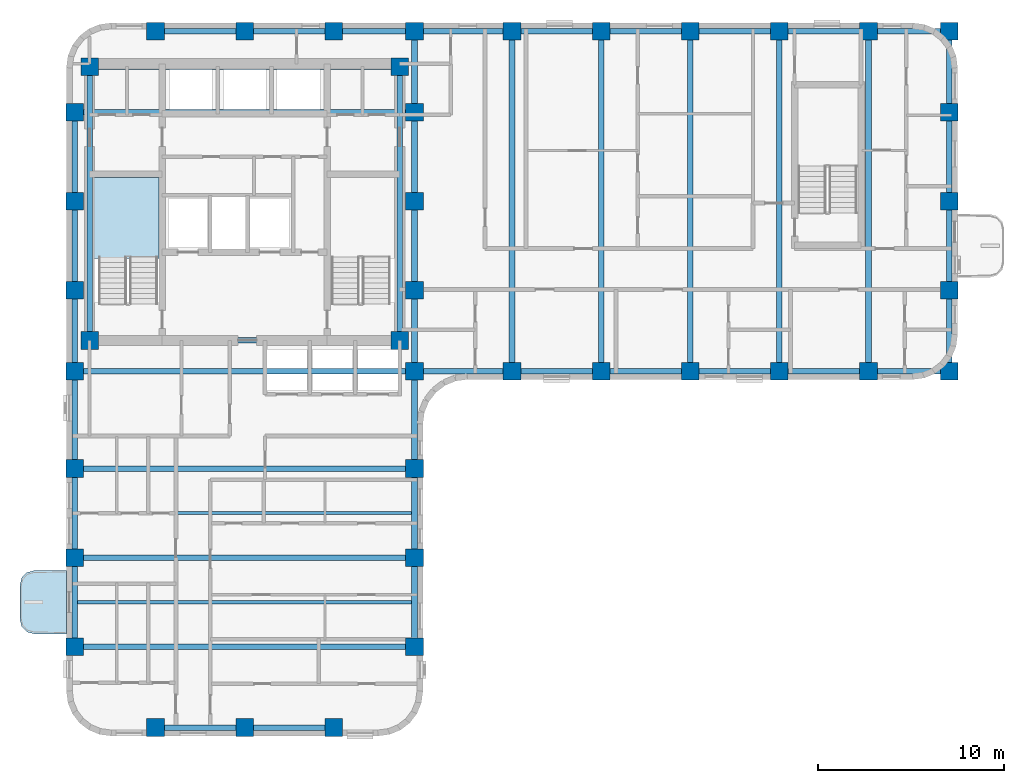
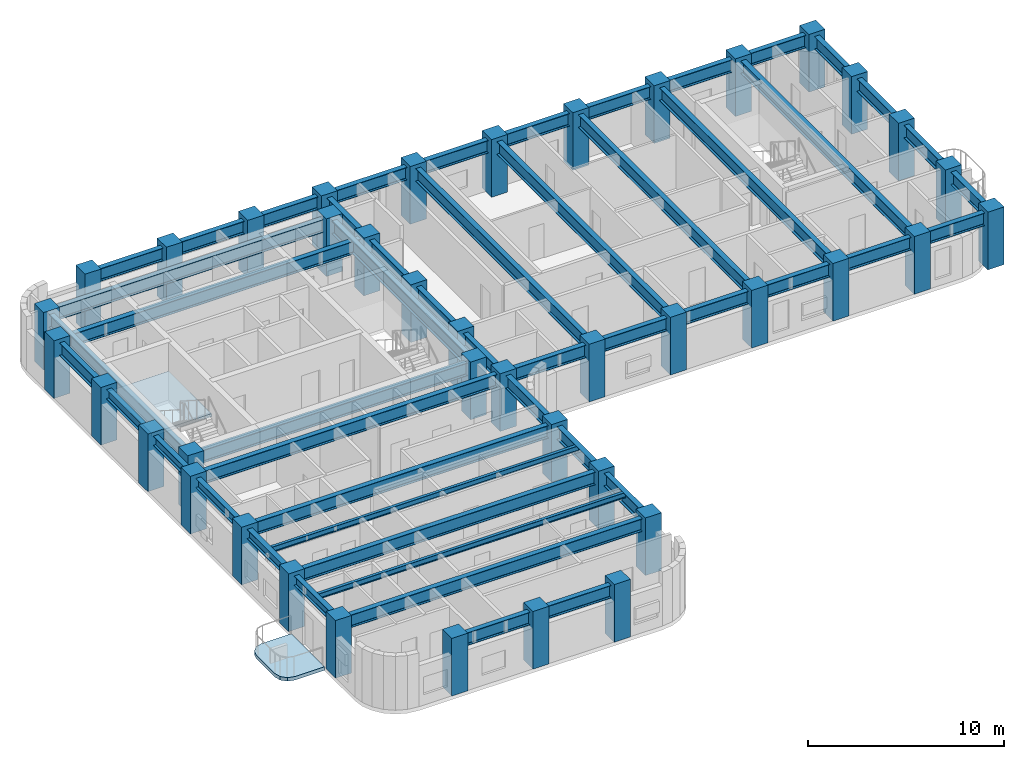
# One storey, part 1 of 10: 50 beams, 40 columns, 2 slabs, 1 element without a shape of its own.
"""IFC4 building model written with IfcOpenShell, lengths in metres."""

import ifcopenshell
import ifcopenshell.guid

model = None  # the IFC model being written
_history = None  # IfcOwnerHistory: only IFC2X3 demands one
_inside = {}  # id of a spatial element -> (the spatial element, [elements in it])
_under = {}  # id of a project, library or spatial element -> (it, [spatial elements below it])
_declared = {}  # id of a project -> (the project, [libraries it declares])
_typed = {}  # id of a type object -> (the type object, [elements of that type])
_made_of = {}  # id of a material, layer set ... -> (it, [elements and type objects made of it])


def new_model(schema):
    """Start an empty IFC model of exactly this schema.

    Asked for "IFC4X3", IfcOpenShell would pick the latest addendum, in which some entities
    have other attributes; the version numbers below select the first issue.
    IFC2X3 requires an IfcOwnerHistory on every rooted entity: one is made here for all.
    """
    global model, _history
    if schema == "IFC4X3":
        model = ifcopenshell.file(schema_version=(4, 3, 0, 0))
    else:
        model = ifcopenshell.file(schema=schema)
    _inside.clear()
    _under.clear()
    _declared.clear()
    _typed.clear()
    _made_of.clear()
    _history = None
    if model.schema == "IFC2X3":
        org = make("IfcOrganization", Name="unknown")
        user = make(
            "IfcPersonAndOrganization",
            ThePerson=make("IfcPerson", FamilyName="unknown"),
            TheOrganization=org,
        )
        app = make(
            "IfcApplication",
            ApplicationDeveloper=org,
            Version="unknown",
            ApplicationFullName="unknown",
            ApplicationIdentifier="unknown",
        )
        _history = make(
            "IfcOwnerHistory",
            OwningUser=user,
            OwningApplication=app,
            ChangeAction="ADDED",
            CreationDate=0,
        )
    return model


def make(cls, **values):
    """One entity of the class cls with the attributes given. An attribute that is None is left unset."""
    return model.create_entity(
        cls, **{name: value for name, value in values.items() if value is not None}
    )


def rooted(cls, **values):
    """An entity with a GlobalId (a new one), such as an element, a storey or a relation."""
    return make(cls, GlobalId=ifcopenshell.guid.new(), OwnerHistory=_history, **values)


def si_unit(unit_type, name, prefix=None):
    """IfcSIUnit, for example si_unit("LENGTHUNIT", "METRE", prefix="MILLI")."""
    return make("IfcSIUnit", UnitType=unit_type, Prefix=prefix, Name=name)


def assignment(units):
    """IfcUnitAssignment: the units of a project."""
    return None if units is None else make("IfcUnitAssignment", Units=units)


def point(xyz):
    """IfcCartesianPoint."""
    return None if xyz is None else make("IfcCartesianPoint", Coordinates=xyz)


def direction(xyz):
    """IfcDirection."""
    return None if xyz is None else make("IfcDirection", DirectionRatios=xyz)


def frame(location, z_axis=None, x_axis=None):
    """IfcAxis2Placement3D, a coordinate frame: its origin and axes. An axis left out is left unset."""
    return make(
        "IfcAxis2Placement3D",
        Location=point(location),
        Axis=direction(z_axis),
        RefDirection=direction(x_axis),
    )


def frame_2d(location, x_axis=None):
    """IfcAxis2Placement2D, a coordinate frame in the plane: its origin and x axis."""
    return make(
        "IfcAxis2Placement2D", Location=point(location), RefDirection=direction(x_axis)
    )


def origin():
    """The frame at (0, 0, 0) with its axes left unset."""
    return frame((0.0, 0.0, 0.0))


def origin_2d():
    """The frame at (0, 0) in the plane with its x axis left unset."""
    return frame_2d((0.0, 0.0))


def place(relative_to, where):
    """IfcLocalPlacement: puts the frame where relative to a parent placement (None: the world)."""
    return make(
        "IfcLocalPlacement", PlacementRelTo=relative_to, RelativePlacement=where
    )


def context(
    kind, dimensions, precision=None, world=None, true_north=None, identifier=None
):
    """IfcGeometricRepresentationContext, for example the 3D "Model" context."""
    return make(
        "IfcGeometricRepresentationContext",
        ContextIdentifier=identifier,
        ContextType=kind,
        CoordinateSpaceDimension=dimensions,
        Precision=precision,
        WorldCoordinateSystem=world,
        TrueNorth=true_north,
    )


def subcontext(parent, identifier, kind, view, scale=None):
    """IfcGeometricRepresentationSubContext, for example "Body" below "Model"."""
    return make(
        "IfcGeometricRepresentationSubContext",
        ContextIdentifier=identifier,
        ContextType=kind,
        ParentContext=parent,
        TargetScale=scale,
        TargetView=view,
    )


def project(units=None, contexts=None):
    """IfcProject with its units and contexts."""
    return rooted(
        "IfcProject",
        Name="project",
        RepresentationContexts=contexts,
        UnitsInContext=assignment(units),
    )


def spatial(cls, under=None, at=None, **own):
    """A site, building, storey or space (cls), placed at a placement, below another one or the project."""
    s = rooted(cls, ObjectPlacement=at, **own)
    if under is not None:
        _under.setdefault(under.id(), (under, []))[1].append(s)
    return s


def polyline(points):
    """IfcPolyline through the points."""
    return make("IfcPolyline", Points=[point(p) for p in points])


def profile(cls, at=None, kind="AREA", **sizes):
    """A parametric profile (cls). Its sizes go by their IFC names, for example OverallWidth=200.0."""
    return make(cls, ProfileType=kind, Position=at, **sizes)


def rectangle(**sizes):
    """IfcRectangleProfileDef."""
    return profile("IfcRectangleProfileDef", **sizes)


def i_section(**sizes):
    """IfcIShapeProfileDef."""
    return profile("IfcIShapeProfileDef", **sizes)


def outline(outer, holes=None, kind="AREA"):
    """IfcArbitraryClosedProfileDef: a profile drawn as a closed curve; with holes, ...WithVoids."""
    if holes is None:
        return make("IfcArbitraryClosedProfileDef", ProfileType=kind, OuterCurve=outer)
    return make(
        "IfcArbitraryProfileDefWithVoids",
        ProfileType=kind,
        OuterCurve=outer,
        InnerCurves=holes,
    )


def extrude(swept, where, along, depth):
    """IfcExtrudedAreaSolid: the profile swept, set in the frame where, extruded along a direction by depth."""
    return make(
        "IfcExtrudedAreaSolid",
        SweptArea=swept,
        Position=where,
        ExtrudedDirection=direction(along),
        Depth=depth,
    )


def shape(context_of_items, identifier, shape_type, items):
    """IfcShapeRepresentation: the items that make up one representation, for example the "Body"."""
    return make(
        "IfcShapeRepresentation",
        ContextOfItems=context_of_items,
        RepresentationIdentifier=identifier,
        RepresentationType=shape_type,
        Items=items,
    )


def material(Name=None, Category=None):
    """IfcMaterial."""
    return make("IfcMaterial", Name=Name, Category=Category)


def layer(
    of_material, thickness, ventilated=None, Name=None, Category=None, Priority=None
):
    """IfcMaterialLayer: one layer of a wall or slab, of a material (None: an air gap)."""
    return make(
        "IfcMaterialLayer",
        Material=of_material,
        LayerThickness=thickness,
        IsVentilated=ventilated,
        Name=Name,
        Category=Category,
        Priority=Priority,
    )


def layer_set(layers, Name=None):
    """IfcMaterialLayerSet."""
    return make("IfcMaterialLayerSet", MaterialLayers=layers, LayerSetName=Name)


def material_profile(
    of_material, cross_section, Name=None, Category=None, Priority=None
):
    """IfcMaterialProfile: a cross section and its material."""
    return make(
        "IfcMaterialProfile",
        Name=Name,
        Material=of_material,
        Profile=cross_section,
        Priority=Priority,
        Category=Category,
    )


def profile_set(profiles, Name=None, composite=None):
    """IfcMaterialProfileSet."""
    return make(
        "IfcMaterialProfileSet",
        Name=Name,
        MaterialProfiles=profiles,
        CompositeProfile=composite,
    )


def made_of(thing, what):
    """Note that an element or type object is made of a material, layer set ...; save() writes the relation."""
    if what is not None:
        _made_of.setdefault(what.id(), (what, []))[1].append(thing)
    return thing


def type_object(cls, material=None, **own):
    """A type object (cls), such as IfcWallType, which elements share."""
    return made_of(rooted(cls, **own), material)


def element(
    cls,
    number,
    at=None,
    inside=None,
    cuts=None,
    type_object=None,
    material=None,
    context=None,
    identifier="Body",
    shape_type=None,
    held_by="IfcProductDefinitionShape",
    body=None,
    shapes=None,
    **own,
):
    """One element of the class cls, such as IfcWall. Its Tag is "e" and its number.

    at: its placement. inside: the storey or other place that contains it. cuts: it is an
    opening in that element (IfcRelVoidsElement). A single representation is given by context,
    identifier, shape_type and body (its items); several are given by shapes. held_by: the class
    of the entity that holds the representations. save() writes the other relations.
    """
    e = rooted(cls, Tag="e%d" % number, ObjectPlacement=at, **own)
    if body is not None:
        shapes = [shape(context, identifier, shape_type, body)]
    if shapes is not None:
        e.Representation = make(held_by, Representations=shapes)
    if inside is not None:
        _inside.setdefault(inside.id(), (inside, []))[1].append(e)
    if cuts is not None:
        rooted(
            "IfcRelVoidsElement", RelatingBuildingElement=cuts, RelatedOpeningElement=e
        )
    if type_object is not None:
        _typed.setdefault(type_object.id(), (type_object, []))[1].append(e)
    return made_of(e, material)


def aggregate(whole, parts):
    """IfcRelAggregates: a whole, such as a stair, and the parts it consists of."""
    return rooted("IfcRelAggregates", RelatingObject=whole, RelatedObjects=parts)


def save(model, path):
    """Write the relations noted so far, then the file.

    IfcRelAggregates (storeys below a building ...), IfcRelContainedInSpatialStructure (elements
    in a storey), IfcRelDefinesByType, IfcRelAssociatesMaterial and IfcRelDeclares: one each for
    every whole, place, type object, material and project.
    """
    for whole, parts in _under.values():
        aggregate(whole, parts)
    for where, things in _inside.values():
        rooted(
            "IfcRelContainedInSpatialStructure",
            RelatedElements=things,
            RelatingStructure=where,
        )
    for kind, things in _typed.values():
        rooted("IfcRelDefinesByType", RelatedObjects=things, RelatingType=kind)
    for what, things in _made_of.values():
        rooted("IfcRelAssociatesMaterial", RelatedObjects=things, RelatingMaterial=what)
    for by, libraries in _declared.values():
        rooted("IfcRelDeclares", RelatingContext=by, RelatedDefinitions=libraries)
    model.write(path)


model = new_model("IFC4")

# Units and contexts
model_context = context("Model", 3, precision=1e-05, world=origin(), true_north=direction((0.0, 1.0)))
body_context = subcontext(model_context, "Body", "Model", "MODEL_VIEW")
ifc_project = project(units=[si_unit("LENGTHUNIT", "METRE"), si_unit("AREAUNIT", "SQUARE_METRE"), si_unit("VOLUMEUNIT", "CUBIC_METRE"), si_unit("PLANEANGLEUNIT", "RADIAN"), si_unit("MASSUNIT", "GRAM", prefix="KILO")], contexts=[model_context])

# Site, building, storey
site_placement = place(None, origin())
site = spatial("IfcSite", under=ifc_project, at=site_placement, CompositionType="ELEMENT")
building_placement = place(site_placement, origin())
building = spatial("IfcBuilding", under=site, at=building_placement, Name="Orvandelia Arch Residences", CompositionType="ELEMENT")
storey_placement = place(building_placement, frame((0.0, 0.0, 121.60009765625)))
storey = spatial("IfcBuildingStorey", under=building, at=storey_placement, Name="L31", CompositionType="ELEMENT", Elevation=121.60009765625)

# Columns
ifc_material_1 = material(Name="Concrete C60/75", Category="concrete")
ifc_material_profile_1 = material_profile(ifc_material_1, rectangle(XDim=0.949951171875, YDim=0.949951171875, at=origin_2d()), Name="Concrete C60/75", Category="concrete")
ifc_profile_set_1 = profile_set([ifc_material_profile_1], Name="Concrete C60/75")
column_type = type_object("IfcColumnType", Name="COL-TWR-950", PredefinedType="COLUMN", material=ifc_profile_set_1)
for number, where, z_axis, x_axis, name in (
    (1, (5.25, 14.39990234375, 0.0), (0.0, 0.0, 1.0), (1.0, 0.0, 0.0), "Structural Column L31-W-W-144"),
    (2, (5.25, 19.199951171875, 0.0), (0.0, 0.0, 1.0), (1.0, 0.0, 0.0), "Structural Column L31-W-W-192"),
    (3, (5.25, 24.0, 0.0), (0.0, 0.0, 1.0), (1.0, 0.0, 0.0), "Structural Column L31-W-W-240"),
    (4, (5.25, 29.25, 0.0), (0.0, 0.0, 1.0), (1.0, 0.0, 0.0), "Structural Column L31-W-W-292"),
    (5, (5.25, 33.60009765625, 0.0), (0.0, 0.0, 1.0), (1.0, 0.0, 0.0), "Structural Column L31-W-W-336"),
    (6, (5.25, 38.39990234375, 0.0), (0.0, 0.0, 1.0), (1.0, 0.0, 0.0), "Structural Column L31-W-W-384"),
    (7, (5.25, 43.199951171875, 0.0), (0.0, 0.0, 1.0), (1.0, 0.0, 0.0), "Structural Column L31-W-W-432"),
    (8, (6.050048828125, 30.89990234375, 0.0), (0.0, 0.0, 1.0), (1.0, 0.0, 0.0), "Structural Column L31-CR-SW"),
    (9, (6.050048828125, 45.64990234375, 0.0), (0.0, 0.0, 1.0), (1.0, 0.0, 0.0), "Structural Column L31-CR-NW"),
    (10, (9.60009765625, 10.050048828125, 0.0), (0.0, 0.0, 1.0), (1.0, 0.0, 0.0), "Structural Column L31-W-S-96"),
    (11, (9.60009765625, 47.550048828125, 0.0), (0.0, 0.0, 1.0), (1.0, 0.0, 0.0), "Structural Column L31-W-N-96"),
    (12, (14.39990234375, 10.050048828125, 0.0), (0.0, 0.0, 1.0), (1.0, 0.0, 0.0), "Structural Column L31-W-S-144"),
    (13, (14.39990234375, 47.550048828125, 0.0), (0.0, 0.0, 1.0), (1.0, 0.0, 0.0), "Structural Column L31-W-N-144"),
    (14, (19.199951171875, 10.050048828125, 0.0), (0.0, 0.0, 1.0), (1.0, 0.0, 0.0), "Structural Column L31-W-S-192"),
    (15, (19.199951171875, 47.550048828125, 0.0), (0.0, 0.0, 1.0), (1.0, 0.0, 0.0), "Structural Column L31-W-N-192"),
    (16, (22.75, 30.89990234375, 0.0), (0.0, 0.0, 1.0), (1.0, 0.0, 0.0), "Structural Column L31-CR-SE"),
    (17, (22.75, 45.64990234375, 0.0), (0.0, 0.0, 1.0), (1.0, 0.0, 0.0), "Structural Column L31-CR-NE"),
    (18, (23.550048828125, 14.39990234375, 0.0), (0.0, 0.0, 1.0), (1.0, 0.0, 0.0), "Structural Column L31-W-E-144"),
    (19, (23.550048828125, 19.199951171875, 0.0), (0.0, 0.0, 1.0), (1.0, 0.0, 0.0), "Structural Column L31-W-E-192"),
    (20, (23.550048828125, 24.0, 0.0), (0.0, 0.0, 1.0), (1.0, 0.0, 0.0), "Structural Column L31-W-E-240"),
    (21, (23.550048828125, 29.25, 0.0), (0.0, 0.0, 1.0), (1.0, 0.0, 0.0), "Structural Column L31-W-E-292"),
    (22, (23.550048828125, 33.60009765625, 0.0), (0.0, 0.0, 1.0), (1.0, 0.0, 0.0), "Structural Column L31-W-E-336"),
    (23, (23.550048828125, 38.39990234375, 0.0), (0.0, 0.0, 1.0), (1.0, 0.0, 0.0), "Structural Column L31-W-E-384"),
    (24, (23.550048828125, 43.199951171875, 0.0), (0.0, 0.0, 1.0), (1.0, 0.0, 0.0), "Structural Column L31-W-E-432"),
    (25, (23.550048828125, 47.550048828125, 0.0), (0.0, 0.0, 1.0), (1.0, 0.0, 0.0), "Structural Column L31-W-N-235"),
    (26, (28.800048828125, 29.25, 0.0), (0.0, 0.0, 1.0), (1.0, 0.0, 0.0), "Structural Column L31-E-S-288"),
    (27, (28.800048828125, 47.550048828125, 0.0), (0.0, 0.0, 1.0), (1.0, 0.0, 0.0), "Structural Column L31-E-N-288"),
    (28, (33.60009765625, 29.25, 0.0), (0.0, 0.0, 1.0), (1.0, 0.0, 0.0), "Structural Column L31-E-S-336"),
    (29, (33.60009765625, 47.550048828125, 0.0), (0.0, 0.0, 1.0), (1.0, 0.0, 0.0), "Structural Column L31-E-N-336"),
    (30, (38.39990234375, 29.25, 0.0), (0.0, 0.0, 1.0), (1.0, 0.0, 0.0), "Structural Column L31-E-S-384"),
    (31, (38.39990234375, 47.550048828125, 0.0), (0.0, 0.0, 1.0), (1.0, 0.0, 0.0), "Structural Column L31-E-N-384"),
    (32, (43.199951171875, 29.25, 0.0), (0.0, 0.0, 1.0), (1.0, 0.0, 0.0), "Structural Column L31-E-S-432"),
    (33, (43.199951171875, 47.550048828125, 0.0), (0.0, 0.0, 1.0), (1.0, 0.0, 0.0), "Structural Column L31-E-N-432"),
    (34, (48.0, 29.25, 0.0), (0.0, 0.0, 1.0), (1.0, 0.0, 0.0), "Structural Column L31-E-S-480"),
    (35, (48.0, 47.550048828125, 0.0), (0.0, 0.0, 1.0), (1.0, 0.0, 0.0), "Structural Column L31-E-N-480"),
    (36, (52.35009765625, 29.25, 0.0), (0.0, 0.0, 1.0), (1.0, 0.0, 0.0), "Structural Column L31-E-S-523"),
    (37, (52.35009765625, 33.60009765625, 0.0), (0.0, 0.0, 1.0), (1.0, 0.0, 0.0), "Structural Column L31-E-523-336"),
    (38, (52.35009765625, 38.39990234375, 0.0), (0.0, 0.0, 1.0), (1.0, 0.0, 0.0), "Structural Column L31-E-523-384"),
    (39, (52.35009765625, 43.199951171875, 0.0), (0.0, 0.0, 1.0), (1.0, 0.0, 0.0), "Structural Column L31-E-523-432"),
    (40, (52.35009765625, 47.550048828125, 0.0), (0.0, 0.0, 1.0), (1.0, 0.0, 0.0), "Structural Column L31-E-N-523"),
):
    element("IfcColumn", number, at=place(storey_placement, frame(where, z_axis=z_axis, x_axis=x_axis)), inside=storey, type_object=column_type, Name=name, PredefinedType="COLUMN", context=body_context, shape_type="SweptSolid", body=[
        extrude(rectangle(XDim=0.949951171875, YDim=0.949951171875, at=origin_2d()), origin(), (0.0, 0.0, 1.0), 3.599853515625),
    ])

# Beams
ifc_material_2 = material(Name="Structural Steel SM355 (355 MPa)", Category="steel")
ifc_material_profile_2 = material_profile(ifc_material_2, i_section(OverallWidth=0.300048828125, OverallDepth=0.800048828125, WebThickness=0.013916015625, FlangeThickness=0.02587890625, FilletRadius=0.02587890625, at=origin_2d()), Name="Structural Steel SM355 (355 MPa)", Category="steel")
ifc_profile_set_2 = profile_set([ifc_material_profile_2], Name="Structural Steel SM355 (355 MPa)")
beam_type_1 = type_object("IfcBeamType", Name="BM-GRD-H800", PredefinedType="BEAM", material=ifc_profile_set_2)
beam_1_placement = place(storey_placement, frame((5.25, 38.39990234375, 2.9599609375), z_axis=(0.0, 1.0, 0.0), x_axis=(-1.0, 0.0, 0.0)))
element("IfcBeam", 41, at=beam_1_placement, inside=storey, type_object=beam_type_1, Name="Structural Frame Beam L31-NS-006", PredefinedType="BEAM", context=body_context, shape_type="SweptSolid", body=[
    extrude(i_section(OverallWidth=0.300048828125, OverallDepth=0.800048828125, WebThickness=0.013916015625, FlangeThickness=0.02587890625, FilletRadius=0.02587890625, at=origin_2d()), origin(), (0.0, 0.0, 1.0), 4.800048828125),
])
for number, where, z_axis, x_axis, name in (
    (42, (6.050048828125, 30.89990234375, 2.9599609375), (0.0, 1.0, 0.0), (-1.0, 0.0, 0.0), "Structural Frame Beam L31-NS-007"),
    (43, (22.75, 30.89990234375, 2.9599609375), (0.0, 1.0, 0.0), (-1.0, 0.0, 0.0), "Structural Frame Beam L31-NS-008"),
):
    element("IfcBeam", number, at=place(storey_placement, frame(where, z_axis=z_axis, x_axis=x_axis)), inside=storey, type_object=beam_type_1, Name=name, PredefinedType="BEAM", context=body_context, shape_type="SweptSolid", body=[
        extrude(i_section(OverallWidth=0.300048828125, OverallDepth=0.800048828125, WebThickness=0.013916015625, FlangeThickness=0.02587890625, FilletRadius=0.02587890625, at=origin_2d()), origin(), (0.0, 0.0, 1.0), 14.75),
    ])
for number, where, z_axis, x_axis, name in (
    (44, (23.550048828125, 14.39990234375, 2.9599609375), (0.0, 1.0, 0.0), (-1.0, 0.0, 0.0), "Structural Frame Beam L31-NS-009"),
    (45, (23.550048828125, 19.199951171875, 2.9599609375), (0.0, 1.0, 0.0), (-1.0, 0.0, 0.0), "Structural Frame Beam L31-NS-010"),
):
    element("IfcBeam", number, at=place(storey_placement, frame(where, z_axis=z_axis, x_axis=x_axis)), inside=storey, type_object=beam_type_1, Name=name, PredefinedType="BEAM", context=body_context, shape_type="SweptSolid", body=[
        extrude(i_section(OverallWidth=0.300048828125, OverallDepth=0.800048828125, WebThickness=0.013916015625, FlangeThickness=0.02587890625, FilletRadius=0.02587890625, at=origin_2d()), origin(), (0.0, 0.0, 1.0), 4.800048828125),
    ])
beam_2_placement = place(storey_placement, frame((23.550048828125, 24.0, 2.9599609375), z_axis=(0.0, 1.0, 0.0), x_axis=(-1.0, 0.0, 0.0)))
element("IfcBeam", 46, at=beam_2_placement, inside=storey, type_object=beam_type_1, Name="Structural Frame Beam L31-NS-011", PredefinedType="BEAM", context=body_context, shape_type="SweptSolid", body=[
    extrude(i_section(OverallWidth=0.300048828125, OverallDepth=0.800048828125, WebThickness=0.013916015625, FlangeThickness=0.02587890625, FilletRadius=0.02587890625, at=origin_2d()), origin(), (0.0, 0.0, 1.0), 5.25),
])
beam_3_placement = place(storey_placement, frame((23.550048828125, 29.25, 2.9599609375), z_axis=(0.0, 1.0, 0.0), x_axis=(-1.0, 0.0, 0.0)))
element("IfcBeam", 47, at=beam_3_placement, inside=storey, type_object=beam_type_1, Name="Structural Frame Beam L31-NS-012", PredefinedType="BEAM", context=body_context, shape_type="SweptSolid", body=[
    extrude(i_section(OverallWidth=0.300048828125, OverallDepth=0.800048828125, WebThickness=0.013916015625, FlangeThickness=0.02587890625, FilletRadius=0.02587890625, at=origin_2d()), origin(), (0.0, 0.0, 1.0), 4.35009765625),
])
beam_4_placement = place(storey_placement, frame((23.550048828125, 33.60009765625, 2.9599609375), z_axis=(0.0, 1.0, 0.0), x_axis=(-1.0, 0.0, 0.0)))
element("IfcBeam", 48, at=beam_4_placement, inside=storey, type_object=beam_type_1, Name="Structural Frame Beam L31-NS-013", PredefinedType="BEAM", context=body_context, shape_type="SweptSolid", body=[
    extrude(i_section(OverallWidth=0.300048828125, OverallDepth=0.800048828125, WebThickness=0.013916015625, FlangeThickness=0.02587890625, FilletRadius=0.02587890625, at=origin_2d()), origin(), (0.0, 0.0, 1.0), 4.7998046875),
])
beam_5_placement = place(storey_placement, frame((23.550048828125, 38.39990234375, 2.9599609375), z_axis=(0.0, 1.0, 0.0), x_axis=(-1.0, 0.0, 0.0)))
element("IfcBeam", 49, at=beam_5_placement, inside=storey, type_object=beam_type_1, Name="Structural Frame Beam L31-NS-014", PredefinedType="BEAM", context=body_context, shape_type="SweptSolid", body=[
    extrude(i_section(OverallWidth=0.300048828125, OverallDepth=0.800048828125, WebThickness=0.013916015625, FlangeThickness=0.02587890625, FilletRadius=0.02587890625, at=origin_2d()), origin(), (0.0, 0.0, 1.0), 4.800048828125),
])
beam_6_placement = place(storey_placement, frame((23.550048828125, 43.199951171875, 2.9599609375), z_axis=(0.0, 1.0, 0.0), x_axis=(-1.0, 0.0, 0.0)))
element("IfcBeam", 50, at=beam_6_placement, inside=storey, type_object=beam_type_1, Name="Structural Frame Beam L31-NS-015", PredefinedType="BEAM", context=body_context, shape_type="SweptSolid", body=[
    extrude(i_section(OverallWidth=0.300048828125, OverallDepth=0.800048828125, WebThickness=0.013916015625, FlangeThickness=0.02587890625, FilletRadius=0.02587890625, at=origin_2d()), origin(), (0.0, 0.0, 1.0), 4.35009765625),
])
for number, where, z_axis, x_axis, name in (
    (51, (28.800048828125, 29.25, 2.9599609375), (0.0, 1.0, 0.0), (-1.0, 0.0, 0.0), "Structural Frame Beam L31-NS-016"),
    (52, (33.60009765625, 29.25, 2.9599609375), (0.0, 1.0, 0.0), (-1.0, 0.0, 0.0), "Structural Frame Beam L31-NS-017"),
    (53, (38.39990234375, 29.25, 2.9599609375), (0.0, 1.0, 0.0), (-1.0, 0.0, 0.0), "Structural Frame Beam L31-NS-018"),
    (54, (43.199951171875, 29.25, 2.9599609375), (0.0, 1.0, 0.0), (-1.0, 0.0, 0.0), "Structural Frame Beam L31-NS-019"),
    (55, (48.0, 29.25, 2.9599609375), (0.0, 1.0, 0.0), (-1.0, 0.0, 0.0), "Structural Frame Beam L31-NS-020"),
):
    element("IfcBeam", number, at=place(storey_placement, frame(where, z_axis=z_axis, x_axis=x_axis)), inside=storey, type_object=beam_type_1, Name=name, PredefinedType="BEAM", context=body_context, shape_type="SweptSolid", body=[
        extrude(i_section(OverallWidth=0.300048828125, OverallDepth=0.800048828125, WebThickness=0.013916015625, FlangeThickness=0.02587890625, FilletRadius=0.02587890625, at=origin_2d()), origin(), (0.0, 0.0, 1.0), 18.300048828125),
    ])
beam_7_placement = place(storey_placement, frame((52.35009765625, 29.25, 2.9599609375), z_axis=(0.0, 1.0, 0.0), x_axis=(-1.0, 0.0, 0.0)))
element("IfcBeam", 56, at=beam_7_placement, inside=storey, type_object=beam_type_1, Name="Structural Frame Beam L31-NS-021", PredefinedType="BEAM", context=body_context, shape_type="SweptSolid", body=[
    extrude(i_section(OverallWidth=0.300048828125, OverallDepth=0.800048828125, WebThickness=0.013916015625, FlangeThickness=0.02587890625, FilletRadius=0.02587890625, at=origin_2d()), origin(), (0.0, 0.0, 1.0), 4.35009765625),
])
beam_8_placement = place(storey_placement, frame((52.35009765625, 33.60009765625, 2.9599609375), z_axis=(0.0, 1.0, 0.0), x_axis=(-1.0, 0.0, 0.0)))
element("IfcBeam", 57, at=beam_8_placement, inside=storey, type_object=beam_type_1, Name="Structural Frame Beam L31-NS-022", PredefinedType="BEAM", context=body_context, shape_type="SweptSolid", body=[
    extrude(i_section(OverallWidth=0.300048828125, OverallDepth=0.800048828125, WebThickness=0.013916015625, FlangeThickness=0.02587890625, FilletRadius=0.02587890625, at=origin_2d()), origin(), (0.0, 0.0, 1.0), 4.7998046875),
])
beam_9_placement = place(storey_placement, frame((52.35009765625, 38.39990234375, 2.9599609375), z_axis=(0.0, 1.0, 0.0), x_axis=(-1.0, 0.0, 0.0)))
element("IfcBeam", 58, at=beam_9_placement, inside=storey, type_object=beam_type_1, Name="Structural Frame Beam L31-NS-023", PredefinedType="BEAM", context=body_context, shape_type="SweptSolid", body=[
    extrude(i_section(OverallWidth=0.300048828125, OverallDepth=0.800048828125, WebThickness=0.013916015625, FlangeThickness=0.02587890625, FilletRadius=0.02587890625, at=origin_2d()), origin(), (0.0, 0.0, 1.0), 4.800048828125),
])
beam_10_placement = place(storey_placement, frame((52.35009765625, 43.199951171875, 2.9599609375), z_axis=(0.0, 1.0, 0.0), x_axis=(-1.0, 0.0, 0.0)))
element("IfcBeam", 59, at=beam_10_placement, inside=storey, type_object=beam_type_1, Name="Structural Frame Beam L31-NS-024", PredefinedType="BEAM", context=body_context, shape_type="SweptSolid", body=[
    extrude(i_section(OverallWidth=0.300048828125, OverallDepth=0.800048828125, WebThickness=0.013916015625, FlangeThickness=0.02587890625, FilletRadius=0.02587890625, at=origin_2d()), origin(), (0.0, 0.0, 1.0), 4.35009765625),
])
beam_11_placement = place(storey_placement, frame((9.60009765625, 10.050048828125, 2.9599609375), z_axis=(1.0, 0.0, 0.0), x_axis=(0.0, 1.0, 0.0)))
element("IfcBeam", 60, at=beam_11_placement, inside=storey, type_object=beam_type_1, Name="Structural Frame Girder L31-EW-025", PredefinedType="BEAM", context=body_context, shape_type="SweptSolid", body=[
    extrude(i_section(OverallWidth=0.300048828125, OverallDepth=0.800048828125, WebThickness=0.013916015625, FlangeThickness=0.02587890625, FilletRadius=0.02587890625, at=origin_2d()), origin(), (0.0, 0.0, 1.0), 4.7998046875),
])
beam_12_placement = place(storey_placement, frame((14.39990234375, 10.050048828125, 2.9599609375), z_axis=(1.0, 0.0, 0.0), x_axis=(0.0, 1.0, 0.0)))
element("IfcBeam", 61, at=beam_12_placement, inside=storey, type_object=beam_type_1, Name="Structural Frame Girder L31-EW-026", PredefinedType="BEAM", context=body_context, shape_type="SweptSolid", body=[
    extrude(i_section(OverallWidth=0.300048828125, OverallDepth=0.800048828125, WebThickness=0.013916015625, FlangeThickness=0.02587890625, FilletRadius=0.02587890625, at=origin_2d()), origin(), (0.0, 0.0, 1.0), 4.800048828125),
])
for number, where, z_axis, x_axis, name in (
    (62, (5.25, 14.39990234375, 2.9599609375), (1.0, 0.0, 0.0), (0.0, 1.0, 0.0), "Structural Frame Girder L31-EW-027"),
    (63, (5.25, 19.199951171875, 2.9599609375), (1.0, 0.0, 0.0), (0.0, 1.0, 0.0), "Structural Frame Girder L31-EW-028"),
    (64, (5.25, 24.0, 2.9599609375), (1.0, 0.0, 0.0), (0.0, 1.0, 0.0), "Structural Frame Girder L31-EW-029"),
    (65, (5.25, 29.25, 2.9599609375), (1.0, 0.0, 0.0), (0.0, 1.0, 0.0), "Structural Frame Girder L31-EW-030"),
):
    element("IfcBeam", number, at=place(storey_placement, frame(where, z_axis=z_axis, x_axis=x_axis)), inside=storey, type_object=beam_type_1, Name=name, PredefinedType="BEAM", context=body_context, shape_type="SweptSolid", body=[
        extrude(i_section(OverallWidth=0.300048828125, OverallDepth=0.800048828125, WebThickness=0.013916015625, FlangeThickness=0.02587890625, FilletRadius=0.02587890625, at=origin_2d()), origin(), (0.0, 0.0, 1.0), 18.300048828125),
    ])
beam_13_placement = place(storey_placement, frame((23.550048828125, 29.25, 2.9599609375), z_axis=(1.0, 0.0, 0.0), x_axis=(0.0, 1.0, 0.0)))
element("IfcBeam", 66, at=beam_13_placement, inside=storey, type_object=beam_type_1, Name="Structural Frame Girder L31-EW-031", PredefinedType="BEAM", context=body_context, shape_type="SweptSolid", body=[
    extrude(i_section(OverallWidth=0.300048828125, OverallDepth=0.800048828125, WebThickness=0.013916015625, FlangeThickness=0.02587890625, FilletRadius=0.02587890625, at=origin_2d()), origin(), (0.0, 0.0, 1.0), 5.25),
])
beam_14_placement = place(storey_placement, frame((28.800048828125, 29.25, 2.9599609375), z_axis=(1.0, 0.0, 0.0), x_axis=(0.0, 1.0, 0.0)))
element("IfcBeam", 67, at=beam_14_placement, inside=storey, type_object=beam_type_1, Name="Structural Frame Girder L31-EW-032", PredefinedType="BEAM", context=body_context, shape_type="SweptSolid", body=[
    extrude(i_section(OverallWidth=0.300048828125, OverallDepth=0.800048828125, WebThickness=0.013916015625, FlangeThickness=0.02587890625, FilletRadius=0.02587890625, at=origin_2d()), origin(), (0.0, 0.0, 1.0), 4.800048828125),
])
beam_15_placement = place(storey_placement, frame((33.60009765625, 29.25, 2.9599609375), z_axis=(1.0, 0.0, 0.0), x_axis=(0.0, 1.0, 0.0)))
element("IfcBeam", 68, at=beam_15_placement, inside=storey, type_object=beam_type_1, Name="Structural Frame Girder L31-EW-033", PredefinedType="BEAM", context=body_context, shape_type="SweptSolid", body=[
    extrude(i_section(OverallWidth=0.300048828125, OverallDepth=0.800048828125, WebThickness=0.013916015625, FlangeThickness=0.02587890625, FilletRadius=0.02587890625, at=origin_2d()), origin(), (0.0, 0.0, 1.0), 4.7998046875),
])
for number, where, z_axis, x_axis, name in (
    (69, (38.39990234375, 29.25, 2.9599609375), (1.0, 0.0, 0.0), (0.0, 1.0, 0.0), "Structural Frame Girder L31-EW-034"),
    (70, (43.199951171875, 29.25, 2.9599609375), (1.0, 0.0, 0.0), (0.0, 1.0, 0.0), "Structural Frame Girder L31-EW-035"),
):
    element("IfcBeam", number, at=place(storey_placement, frame(where, z_axis=z_axis, x_axis=x_axis)), inside=storey, type_object=beam_type_1, Name=name, PredefinedType="BEAM", context=body_context, shape_type="SweptSolid", body=[
        extrude(i_section(OverallWidth=0.300048828125, OverallDepth=0.800048828125, WebThickness=0.013916015625, FlangeThickness=0.02587890625, FilletRadius=0.02587890625, at=origin_2d()), origin(), (0.0, 0.0, 1.0), 4.800048828125),
    ])
beam_16_placement = place(storey_placement, frame((48.0, 29.25, 2.9599609375), z_axis=(1.0, 0.0, 0.0), x_axis=(0.0, 1.0, 0.0)))
element("IfcBeam", 71, at=beam_16_placement, inside=storey, type_object=beam_type_1, Name="Structural Frame Girder L31-EW-036", PredefinedType="BEAM", context=body_context, shape_type="SweptSolid", body=[
    extrude(i_section(OverallWidth=0.300048828125, OverallDepth=0.800048828125, WebThickness=0.013916015625, FlangeThickness=0.02587890625, FilletRadius=0.02587890625, at=origin_2d()), origin(), (0.0, 0.0, 1.0), 4.35009765625),
])
beam_17_placement = place(storey_placement, frame((6.050048828125, 30.89990234375, 2.9599609375), z_axis=(1.0, 0.0, 0.0), x_axis=(0.0, 1.0, 0.0)))
element("IfcBeam", 72, at=beam_17_placement, inside=storey, type_object=beam_type_1, Name="Structural Frame Girder L31-EW-037", PredefinedType="BEAM", context=body_context, shape_type="SweptSolid", body=[
    extrude(i_section(OverallWidth=0.300048828125, OverallDepth=0.800048828125, WebThickness=0.013916015625, FlangeThickness=0.02587890625, FilletRadius=0.02587890625, at=origin_2d()), origin(), (0.0, 0.0, 1.0), 16.699951171875),
])
beam_18_placement = place(storey_placement, frame((5.25, 43.199951171875, 2.9599609375), z_axis=(1.0, 0.0, 0.0), x_axis=(0.0, 1.0, 0.0)))
element("IfcBeam", 73, at=beam_18_placement, inside=storey, type_object=beam_type_1, Name="Structural Frame Girder L31-EW-040", PredefinedType="BEAM", context=body_context, shape_type="SweptSolid", body=[
    extrude(i_section(OverallWidth=0.300048828125, OverallDepth=0.800048828125, WebThickness=0.013916015625, FlangeThickness=0.02587890625, FilletRadius=0.02587890625, at=origin_2d()), origin(), (0.0, 0.0, 1.0), 18.300048828125),
])
beam_19_placement = place(storey_placement, frame((6.050048828125, 45.64990234375, 2.9599609375), z_axis=(1.0, 0.0, 0.0), x_axis=(0.0, 1.0, 0.0)))
element("IfcBeam", 74, at=beam_19_placement, inside=storey, type_object=beam_type_1, Name="Structural Frame Girder L31-EW-041", PredefinedType="BEAM", context=body_context, shape_type="SweptSolid", body=[
    extrude(i_section(OverallWidth=0.300048828125, OverallDepth=0.800048828125, WebThickness=0.013916015625, FlangeThickness=0.02587890625, FilletRadius=0.02587890625, at=origin_2d()), origin(), (0.0, 0.0, 1.0), 16.699951171875),
])
beam_20_placement = place(storey_placement, frame((9.60009765625, 47.550048828125, 2.9599609375), z_axis=(1.0, 0.0, 0.0), x_axis=(0.0, 1.0, 0.0)))
element("IfcBeam", 75, at=beam_20_placement, inside=storey, type_object=beam_type_1, Name="Structural Frame Girder L31-EW-042", PredefinedType="BEAM", context=body_context, shape_type="SweptSolid", body=[
    extrude(i_section(OverallWidth=0.300048828125, OverallDepth=0.800048828125, WebThickness=0.013916015625, FlangeThickness=0.02587890625, FilletRadius=0.02587890625, at=origin_2d()), origin(), (0.0, 0.0, 1.0), 4.7998046875),
])
beam_21_placement = place(storey_placement, frame((14.39990234375, 47.550048828125, 2.9599609375), z_axis=(1.0, 0.0, 0.0), x_axis=(0.0, 1.0, 0.0)))
element("IfcBeam", 76, at=beam_21_placement, inside=storey, type_object=beam_type_1, Name="Structural Frame Girder L31-EW-043", PredefinedType="BEAM", context=body_context, shape_type="SweptSolid", body=[
    extrude(i_section(OverallWidth=0.300048828125, OverallDepth=0.800048828125, WebThickness=0.013916015625, FlangeThickness=0.02587890625, FilletRadius=0.02587890625, at=origin_2d()), origin(), (0.0, 0.0, 1.0), 4.800048828125),
])
beam_22_placement = place(storey_placement, frame((19.199951171875, 47.550048828125, 2.9599609375), z_axis=(1.0, 0.0, 0.0), x_axis=(0.0, 1.0, 0.0)))
element("IfcBeam", 77, at=beam_22_placement, inside=storey, type_object=beam_type_1, Name="Structural Frame Girder L31-EW-044", PredefinedType="BEAM", context=body_context, shape_type="SweptSolid", body=[
    extrude(i_section(OverallWidth=0.300048828125, OverallDepth=0.800048828125, WebThickness=0.013916015625, FlangeThickness=0.02587890625, FilletRadius=0.02587890625, at=origin_2d()), origin(), (0.0, 0.0, 1.0), 4.35009765625),
])
beam_23_placement = place(storey_placement, frame((23.550048828125, 47.550048828125, 2.9599609375), z_axis=(1.0, 0.0, 0.0), x_axis=(0.0, 1.0, 0.0)))
element("IfcBeam", 78, at=beam_23_placement, inside=storey, type_object=beam_type_1, Name="Structural Frame Girder L31-EW-045", PredefinedType="BEAM", context=body_context, shape_type="SweptSolid", body=[
    extrude(i_section(OverallWidth=0.300048828125, OverallDepth=0.800048828125, WebThickness=0.013916015625, FlangeThickness=0.02587890625, FilletRadius=0.02587890625, at=origin_2d()), origin(), (0.0, 0.0, 1.0), 5.25),
])
beam_24_placement = place(storey_placement, frame((28.800048828125, 47.550048828125, 2.9599609375), z_axis=(1.0, 0.0, 0.0), x_axis=(0.0, 1.0, 0.0)))
element("IfcBeam", 79, at=beam_24_placement, inside=storey, type_object=beam_type_1, Name="Structural Frame Girder L31-EW-046", PredefinedType="BEAM", context=body_context, shape_type="SweptSolid", body=[
    extrude(i_section(OverallWidth=0.300048828125, OverallDepth=0.800048828125, WebThickness=0.013916015625, FlangeThickness=0.02587890625, FilletRadius=0.02587890625, at=origin_2d()), origin(), (0.0, 0.0, 1.0), 4.800048828125),
])
beam_25_placement = place(storey_placement, frame((33.60009765625, 47.550048828125, 2.9599609375), z_axis=(1.0, 0.0, 0.0), x_axis=(0.0, 1.0, 0.0)))
element("IfcBeam", 80, at=beam_25_placement, inside=storey, type_object=beam_type_1, Name="Structural Frame Girder L31-EW-047", PredefinedType="BEAM", context=body_context, shape_type="SweptSolid", body=[
    extrude(i_section(OverallWidth=0.300048828125, OverallDepth=0.800048828125, WebThickness=0.013916015625, FlangeThickness=0.02587890625, FilletRadius=0.02587890625, at=origin_2d()), origin(), (0.0, 0.0, 1.0), 4.7998046875),
])
for number, where, z_axis, x_axis, name in (
    (81, (38.39990234375, 47.550048828125, 2.9599609375), (1.0, 0.0, 0.0), (0.0, 1.0, 0.0), "Structural Frame Girder L31-EW-048"),
    (82, (43.199951171875, 47.550048828125, 2.9599609375), (1.0, 0.0, 0.0), (0.0, 1.0, 0.0), "Structural Frame Girder L31-EW-049"),
):
    element("IfcBeam", number, at=place(storey_placement, frame(where, z_axis=z_axis, x_axis=x_axis)), inside=storey, type_object=beam_type_1, Name=name, PredefinedType="BEAM", context=body_context, shape_type="SweptSolid", body=[
        extrude(i_section(OverallWidth=0.300048828125, OverallDepth=0.800048828125, WebThickness=0.013916015625, FlangeThickness=0.02587890625, FilletRadius=0.02587890625, at=origin_2d()), origin(), (0.0, 0.0, 1.0), 4.800048828125),
    ])
beam_26_placement = place(storey_placement, frame((48.0, 47.550048828125, 2.9599609375), z_axis=(1.0, 0.0, 0.0), x_axis=(0.0, 1.0, 0.0)))
element("IfcBeam", 83, at=beam_26_placement, inside=storey, type_object=beam_type_1, Name="Structural Frame Girder L31-EW-050", PredefinedType="BEAM", context=body_context, shape_type="SweptSolid", body=[
    extrude(i_section(OverallWidth=0.300048828125, OverallDepth=0.800048828125, WebThickness=0.013916015625, FlangeThickness=0.02587890625, FilletRadius=0.02587890625, at=origin_2d()), origin(), (0.0, 0.0, 1.0), 4.35009765625),
])
ifc_material_profile_3 = material_profile(ifc_material_2, i_section(OverallWidth=0.175048828125, OverallDepth=0.35009765625, WebThickness=0.007080078125, FlangeThickness=0.010986328125, FilletRadius=0.012939453125, at=origin_2d()), Name="Structural Steel SM355 (355 MPa)", Category="steel")
ifc_profile_set_3 = profile_set([ifc_material_profile_3], Name="Structural Steel SM355 (355 MPa)")
beam_type_2 = type_object("IfcBeamType", Name="BM-JST-H350", PredefinedType="JOIST", material=ifc_profile_set_3)
for number, where, z_axis, x_axis, name in (
    (84, (5.25, 16.800048828125, 3.184814453125), (1.0, 0.0, 0.0), (0.0, 1.0, 0.0), "Composite Floor Joist L31-J1"),
    (85, (5.25, 21.60009765625, 3.184814453125), (1.0, 0.0, 0.0), (0.0, 1.0, 0.0), "Composite Floor Joist L31-J2"),
):
    element("IfcBeam", number, at=place(storey_placement, frame(where, z_axis=z_axis, x_axis=x_axis)), inside=storey, type_object=beam_type_2, Name=name, PredefinedType="JOIST", context=body_context, shape_type="SweptSolid", body=[
        extrude(i_section(OverallWidth=0.175048828125, OverallDepth=0.35009765625, WebThickness=0.007080078125, FlangeThickness=0.010986328125, FilletRadius=0.012939453125, at=origin_2d()), origin(), (0.0, 0.0, 1.0), 18.300048828125),
    ])
ifc_material_profile_4 = material_profile(ifc_material_2, i_section(OverallWidth=0.300048828125, OverallDepth=0.587890625, WebThickness=0.011962890625, FlangeThickness=0.02001953125, FilletRadius=0.02197265625, at=origin_2d()), Name="Structural Steel SM355 (355 MPa)", Category="steel")
ifc_profile_set_4 = profile_set([ifc_material_profile_4], Name="Structural Steel SM355 (355 MPa)")
beam_type_3 = type_object("IfcBeamType", Name="BM-SPN-H588", PredefinedType="SPANDREL", material=ifc_profile_set_4)
for number, where, z_axis, x_axis, name in (
    (86, (5.25, 14.39990234375, 3.06591796875), (0.0, 1.0, 0.0), (-1.0, 0.0, 0.0), "Structural Frame Beam L31-NS-001"),
    (87, (5.25, 19.199951171875, 3.06591796875), (0.0, 1.0, 0.0), (-1.0, 0.0, 0.0), "Structural Frame Beam L31-NS-002"),
):
    element("IfcBeam", number, at=place(storey_placement, frame(where, z_axis=z_axis, x_axis=x_axis)), inside=storey, type_object=beam_type_3, Name=name, PredefinedType="SPANDREL", context=body_context, shape_type="SweptSolid", body=[
        extrude(i_section(OverallWidth=0.300048828125, OverallDepth=0.587890625, WebThickness=0.011962890625, FlangeThickness=0.02001953125, FilletRadius=0.02197265625, at=origin_2d()), origin(), (0.0, 0.0, 1.0), 4.800048828125),
    ])
beam_27_placement = place(storey_placement, frame((5.25, 24.0, 3.06591796875), z_axis=(0.0, 1.0, 0.0), x_axis=(-1.0, 0.0, 0.0)))
element("IfcBeam", 88, at=beam_27_placement, inside=storey, type_object=beam_type_3, Name="Structural Frame Beam L31-NS-003", PredefinedType="SPANDREL", context=body_context, shape_type="SweptSolid", body=[
    extrude(i_section(OverallWidth=0.300048828125, OverallDepth=0.587890625, WebThickness=0.011962890625, FlangeThickness=0.02001953125, FilletRadius=0.02197265625, at=origin_2d()), origin(), (0.0, 0.0, 1.0), 5.25),
])
beam_28_placement = place(storey_placement, frame((5.25, 29.25, 3.06591796875), z_axis=(0.0, 1.0, 0.0), x_axis=(-1.0, 0.0, 0.0)))
element("IfcBeam", 89, at=beam_28_placement, inside=storey, type_object=beam_type_3, Name="Structural Frame Beam L31-NS-004", PredefinedType="SPANDREL", context=body_context, shape_type="SweptSolid", body=[
    extrude(i_section(OverallWidth=0.300048828125, OverallDepth=0.587890625, WebThickness=0.011962890625, FlangeThickness=0.02001953125, FilletRadius=0.02197265625, at=origin_2d()), origin(), (0.0, 0.0, 1.0), 4.35009765625),
])
beam_29_placement = place(storey_placement, frame((5.25, 33.60009765625, 3.06591796875), z_axis=(0.0, 1.0, 0.0), x_axis=(-1.0, 0.0, 0.0)))
element("IfcBeam", 90, at=beam_29_placement, inside=storey, type_object=beam_type_3, Name="Structural Frame Beam L31-NS-005", PredefinedType="SPANDREL", context=body_context, shape_type="SweptSolid", body=[
    extrude(i_section(OverallWidth=0.300048828125, OverallDepth=0.587890625, WebThickness=0.011962890625, FlangeThickness=0.02001953125, FilletRadius=0.02197265625, at=origin_2d()), origin(), (0.0, 0.0, 1.0), 4.7998046875),
])

# Slab
ifc_material_3 = material(Name="Precast concrete C40/50", Category="concrete")
ifc_layer_1 = layer(ifc_material_3, 0.219970703125, Name="Precast concrete C40/50", Category="concrete")
ifc_layer_set_1 = layer_set([ifc_layer_1], Name="Precast concrete C40/50")
slab_type_1 = type_object("IfcSlabType", Name="SLB-BAL-220", PredefinedType="USERDEFINED", material=ifc_layer_set_1)
slab_1_placement = place(storey_placement, frame((0.0, 0.0, -0.22021484375)))
element("IfcSlab", 91, at=slab_1_placement, inside=storey, type_object=slab_type_1, Name="Tree Balcony Cantilever Slab BAL-L31-W1", ObjectType="BALCONY", PredefinedType="USERDEFINED", context=body_context, shape_type="SweptSolid", body=[
    extrude(outline(polyline([(4.800048828125, 15.10009765625), (4.800048828125, 18.5), (3.050048828125, 18.5), (2.675048828125, 18.3994140625), (2.400390625, 18.125), (2.300048828125, 17.75), (2.300048828125, 15.85009765625), (2.400390625, 15.47509765625), (2.675048828125, 15.200439453125), (3.050048828125, 15.10009765625), (4.800048828125, 15.10009765625)])), origin(), (0.0, 0.0, 1.0), 0.22021484375),
])

# Stair, slab
ifc_material_4 = material(Name="Concrete C40/50", Category="concrete")
stair_type = type_object("IfcStairType", Name="STAIR-RC-DOGLEG", PredefinedType="HALF_TURN_STAIR", material=ifc_material_4)
stair_placement = place(storey_placement, origin())
stair = element("IfcStair", 92, at=stair_placement, inside=storey, type_object=stair_type, Name="L31 Protected Exit Stair ST-1", PredefinedType="HALF_TURN_STAIR")
ifc_layer_2 = layer(ifc_material_4, 0.219970703125, Name="Concrete C40/50", Category="concrete")
ifc_layer_set_2 = layer_set([ifc_layer_2], Name="Concrete C40/50")
slab_type_2 = type_object("IfcSlabType", Name="SLB-LANDING-220", PredefinedType="LANDING", material=ifc_layer_set_2)
slab_2_placement = place(storey_placement, frame((0.0, 0.0, 1.599853515625)))
slab_2 = element("IfcSlab", 93, at=slab_2_placement, type_object=slab_type_2, Name="ST-1 landing 1", PredefinedType="LANDING", context=body_context, shape_type="SweptSolid", body=[
    extrude(outline(polyline([(9.800048828125, 35.31005859375), (9.800048828125, 39.68994140625), (6.260009765625, 39.68994140625), (6.260009765625, 35.31005859375), (9.800048828125, 35.31005859375)])), origin(), (0.0, 0.0, 1.0), 0.199951171875),
])
aggregate(stair, [slab_2])

save(model, "model.ifc")
